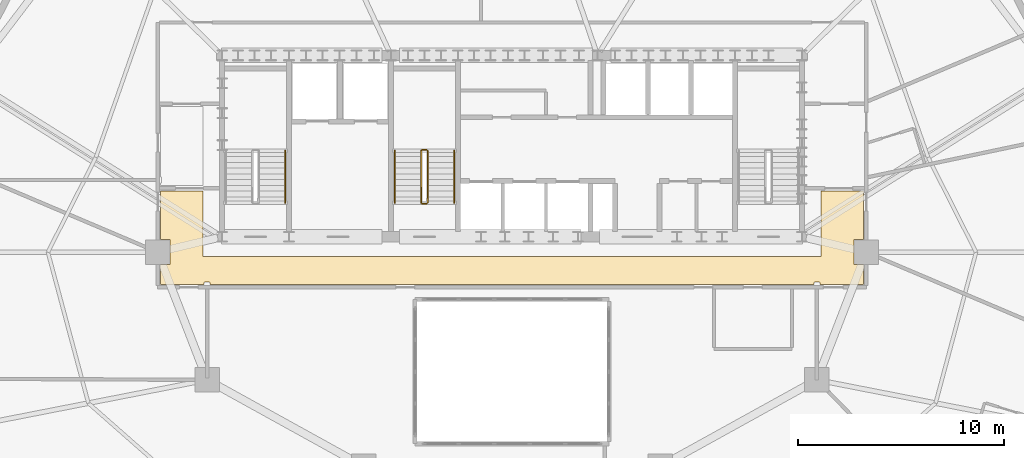
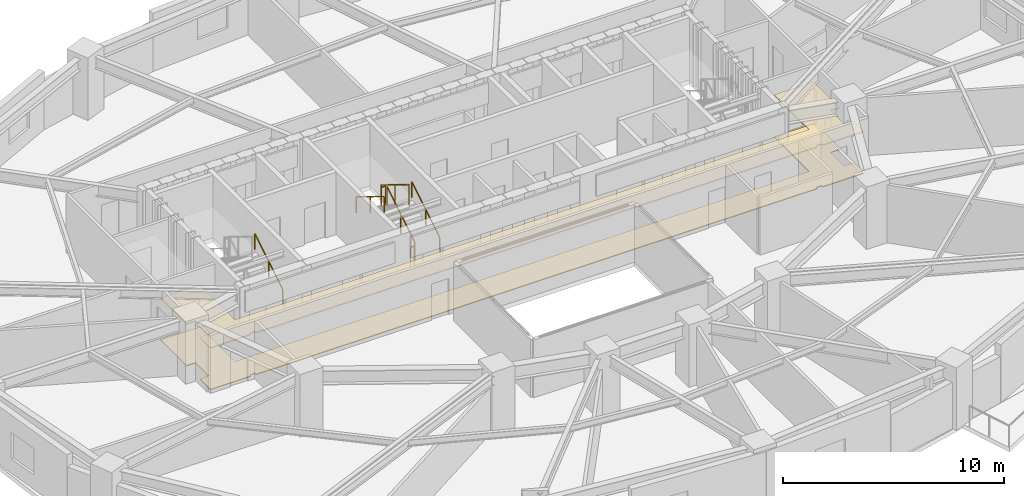
# One storey, part 11 of 12: 7 railings, 2 coverings.
"""IFC4 building model written with IfcOpenShell, lengths in metres."""

from ifc_helpers import new_model, si_unit, direction, frame, origin, origin_2d, place, context, subcontext, project, spatial, polyline, rectangle, outline, extrude, material, layer, layer_set, type_object, element, save


model = new_model("IFC4")

# Units and contexts
model_context = context("Model", 3, precision=1e-05, world=origin(), true_north=direction((0.0, 1.0)))
body_context = subcontext(model_context, "Body", "Model", "MODEL_VIEW")
ifc_project = project(units=[si_unit("LENGTHUNIT", "METRE"), si_unit("AREAUNIT", "SQUARE_METRE"), si_unit("VOLUMEUNIT", "CUBIC_METRE"), si_unit("PLANEANGLEUNIT", "RADIAN"), si_unit("MASSUNIT", "GRAM", prefix="KILO")], contexts=[model_context])

# Site, building, storey
site_placement = place(None, origin())
site = spatial("IfcSite", under=ifc_project, at=site_placement, CompositionType="ELEMENT")
building_placement = place(site_placement, origin())
building = spatial("IfcBuilding", under=site, at=building_placement, Name="Haldorwick Loom Tower", CompositionType="ELEMENT")
storey_placement = place(building_placement, frame((0.0, 0.0, 113.89990234375)))
storey = spatial("IfcBuildingStorey", under=building, at=storey_placement, Name="L30", CompositionType="ELEMENT", Elevation=113.89990234375)

# Coverings
ifc_material_1 = material(Name="Mineral Fibre Acoustic Ceiling Tile")
ifc_layer_1 = layer(ifc_material_1, 0.054931640625, Name="Mineral Fibre Acoustic Ceiling Tile")
ifc_layer_set_1 = layer_set([ifc_layer_1], Name="Mineral Fibre Acoustic Ceiling Tile")
covering_type_1 = type_object("IfcCoveringType", Name="ARC-COV-CEIL2", PredefinedType="CEILING", material=ifc_layer_set_1)
covering_1_placement = place(storey_placement, frame((0.0, 0.0, 2.302001953125)))
element("IfcCovering", 1, at=covering_1_placement, inside=storey, type_object=covering_type_1, Name="L30 Acoustic Suspended Ceiling 1", PredefinedType="CEILING", context=body_context, shape_type="SweptSolid", body=[
    extrude(outline(polyline([(21.320068359375, 24.5400390625), (21.322021484375, 24.539794921875), (21.323974609375, 24.53955078125), (21.32568359375, 24.5390625), (21.32763671875, 24.53857421875), (21.329345703125, 24.53759765625), (21.3310546875, 24.53662109375), (21.332763671875, 24.535400390625), (21.333984375, 24.5341796875), (21.33544921875, 24.53271484375), (21.336669921875, 24.531005859375), (21.337646484375, 24.529296875), (21.33837890625, 24.527587890625), (21.339111328125, 24.52587890625), (21.339599609375, 24.52392578125), (21.33984375, 24.52197265625), (21.340087890625, 24.52001953125), (21.340087890625, 24.43994140625), (50.659912109375, 24.43994140625), (50.659912109375, 24.52001953125), (50.66015625, 24.52197265625), (50.660400390625, 24.52392578125), (50.660888671875, 24.52587890625), (50.66162109375, 24.527587890625), (50.662353515625, 24.529296875), (50.663330078125, 24.531005859375), (50.66455078125, 24.53271484375), (50.666015625, 24.5341796875), (50.667236328125, 24.535400390625), (50.6689453125, 24.53662109375), (50.670654296875, 24.53759765625), (50.67236328125, 24.53857421875), (50.67431640625, 24.5390625), (50.676025390625, 24.53955078125), (50.677978515625, 24.539794921875), (50.679931640625, 24.5400390625), (50.919921875, 24.5400390625), (50.922119140625, 24.539794921875), (50.923828125, 24.53955078125), (50.92578125, 24.5390625), (50.927734375, 24.53857421875), (50.929443359375, 24.53759765625), (50.93115234375, 24.53662109375), (50.9326171875, 24.535400390625), (50.93408203125, 24.5341796875), (50.935546875, 24.53271484375), (50.9365234375, 24.531005859375), (50.9375, 24.529296875), (50.9384765625, 24.527587890625), (50.939208984375, 24.52587890625), (50.939697265625, 24.52392578125), (50.93994140625, 24.52197265625), (50.93994140625, 24.52001953125), (50.93994140625, 24.43994140625), (53.06005859375, 24.43994140625), (53.06005859375, 25.39208984375), (52.592041015625, 25.39208984375), (52.592041015625, 26.60791015625), (53.06005859375, 26.60791015625), (53.06005859375, 28.9599609375), (51.0, 28.9599609375), (51.0, 25.800048828125), (21.0, 25.800048828125), (21.0, 28.9599609375), (18.93994140625, 28.9599609375), (18.93994140625, 26.60791015625), (19.407958984375, 26.60791015625), (19.407958984375, 25.39208984375), (18.93994140625, 25.39208984375), (18.93994140625, 24.43994140625), (21.06005859375, 24.43994140625), (21.06005859375, 24.52001953125), (21.06005859375, 24.52197265625), (21.060302734375, 24.52392578125), (21.060791015625, 24.52587890625), (21.0615234375, 24.527587890625), (21.0625, 24.529296875), (21.0634765625, 24.531005859375), (21.064453125, 24.53271484375), (21.06591796875, 24.5341796875), (21.0673828125, 24.535400390625), (21.06884765625, 24.53662109375), (21.070556640625, 24.53759765625), (21.072265625, 24.53857421875), (21.07421875, 24.5390625), (21.076171875, 24.53955078125), (21.077880859375, 24.539794921875), (21.080078125, 24.5400390625), (21.320068359375, 24.5400390625)])), origin(), (0.0, 0.0, 1.0), 0.05517578125),
])
ifc_material_2 = material(Name="Polished Aggregate Terrazzo Finish")
ifc_layer_2 = layer(ifc_material_2, 0.044921875, Name="Polished Aggregate Terrazzo Finish")
ifc_layer_set_2 = layer_set([ifc_layer_2], Name="Polished Aggregate Terrazzo Finish")
covering_type_2 = type_object("IfcCoveringType", Name="ARC-COV-FLOOR2", PredefinedType="FLOORING", material=ifc_layer_set_2)
covering_2_placement = place(storey_placement, origin())
element("IfcCovering", 2, at=covering_2_placement, inside=storey, type_object=covering_type_2, Name="L30 Floor Finish 1", PredefinedType="FLOORING", context=body_context, shape_type="SweptSolid", body=[
    extrude(outline(polyline([(21.320068359375, 24.5400390625), (21.322021484375, 24.539794921875), (21.323974609375, 24.53955078125), (21.32568359375, 24.5390625), (21.32763671875, 24.53857421875), (21.329345703125, 24.53759765625), (21.3310546875, 24.53662109375), (21.332763671875, 24.535400390625), (21.333984375, 24.5341796875), (21.33544921875, 24.53271484375), (21.336669921875, 24.531005859375), (21.337646484375, 24.529296875), (21.33837890625, 24.527587890625), (21.339111328125, 24.52587890625), (21.339599609375, 24.52392578125), (21.33984375, 24.52197265625), (21.340087890625, 24.52001953125), (21.340087890625, 24.43994140625), (50.659912109375, 24.43994140625), (50.659912109375, 24.52001953125), (50.66015625, 24.52197265625), (50.660400390625, 24.52392578125), (50.660888671875, 24.52587890625), (50.66162109375, 24.527587890625), (50.662353515625, 24.529296875), (50.663330078125, 24.531005859375), (50.66455078125, 24.53271484375), (50.666015625, 24.5341796875), (50.667236328125, 24.535400390625), (50.6689453125, 24.53662109375), (50.670654296875, 24.53759765625), (50.67236328125, 24.53857421875), (50.67431640625, 24.5390625), (50.676025390625, 24.53955078125), (50.677978515625, 24.539794921875), (50.679931640625, 24.5400390625), (50.919921875, 24.5400390625), (50.922119140625, 24.539794921875), (50.923828125, 24.53955078125), (50.92578125, 24.5390625), (50.927734375, 24.53857421875), (50.929443359375, 24.53759765625), (50.93115234375, 24.53662109375), (50.9326171875, 24.535400390625), (50.93408203125, 24.5341796875), (50.935546875, 24.53271484375), (50.9365234375, 24.531005859375), (50.9375, 24.529296875), (50.9384765625, 24.527587890625), (50.939208984375, 24.52587890625), (50.939697265625, 24.52392578125), (50.93994140625, 24.52197265625), (50.93994140625, 24.52001953125), (50.93994140625, 24.43994140625), (53.06005859375, 24.43994140625), (53.06005859375, 25.39208984375), (52.592041015625, 25.39208984375), (52.592041015625, 26.60791015625), (53.06005859375, 26.60791015625), (53.06005859375, 28.9599609375), (51.0, 28.9599609375), (51.0, 25.800048828125), (21.0, 25.800048828125), (21.0, 28.9599609375), (18.93994140625, 28.9599609375), (18.93994140625, 26.60791015625), (19.407958984375, 26.60791015625), (19.407958984375, 25.39208984375), (18.93994140625, 25.39208984375), (18.93994140625, 24.43994140625), (21.06005859375, 24.43994140625), (21.06005859375, 24.52001953125), (21.06005859375, 24.52197265625), (21.060302734375, 24.52392578125), (21.060791015625, 24.52587890625), (21.0615234375, 24.527587890625), (21.0625, 24.529296875), (21.0634765625, 24.531005859375), (21.064453125, 24.53271484375), (21.06591796875, 24.5341796875), (21.0673828125, 24.535400390625), (21.06884765625, 24.53662109375), (21.070556640625, 24.53759765625), (21.072265625, 24.53857421875), (21.07421875, 24.5390625), (21.076171875, 24.53955078125), (21.077880859375, 24.539794921875), (21.080078125, 24.5400390625), (21.320068359375, 24.5400390625)])), origin(), (0.0, 0.0, 1.0), 0.045166015625),
])

# Railings
ifc_material_3 = material(Name="Steel CSA G40.21 350W", Category="steel")
railing_type_1 = type_object("IfcRailingType", Name="ARC-RLG-GUARD112", PredefinedType="GUARDRAIL", material=ifc_material_3)
railing_1_placement = place(storey_placement, frame((31.89990234375, 28.39990234375, 0.172607421875)))
element("IfcRailing", 3, at=railing_1_placement, inside=storey, type_object=railing_type_1, Name="L30 ST-03 stair guard 1", PredefinedType="GUARDRAIL", context=body_context, shape_type="SweptSolid", body=[
    extrude(rectangle(XDim=0.048095703125, YDim=0.048095703125, at=origin_2d()), frame((0.0, 0.0, 1.076171875), z_axis=(0.0, 0.851400495292, 0.524516154772), x_axis=(-1.0, 0.0, 0.0)), (0.0, 0.0, 1.0), 2.9599609375),
    extrude(rectangle(XDim=0.0419921875, YDim=0.0419921875, at=origin_2d()), origin(), (0.0, 0.0, 1.0), 1.052001953125),
    extrude(rectangle(XDim=0.0419921875, YDim=0.0419921875, at=origin_2d()), frame((0.0, 1.260009765625, 0.7763671875)), (0.0, 0.0, 1.0), 1.052001953125),
    extrude(rectangle(XDim=0.0419921875, YDim=0.0419921875, at=origin_2d()), frame((0.0, 2.52001953125, 1.552490234375)), (0.0, 0.0, 1.0), 1.052001953125),
])
railing_2_placement = place(storey_placement, frame((31.85009765625, 30.969970703125, 1.72509765625)))
element("IfcRailing", 4, at=railing_2_placement, inside=storey, type_object=railing_type_1, Name="L30 ST-03 stair guard 2", PredefinedType="GUARDRAIL", context=body_context, shape_type="SweptSolid", body=[
    extrude(rectangle(XDim=0.048095703125, YDim=0.048095703125, at=origin_2d()), frame((0.0, 0.0, 1.076171875), z_axis=(-1.0, 0.0, 0.0), x_axis=(0.0, -1.0, 0.0)), (0.0, 0.0, 1.0), 0.2001953125),
    extrude(rectangle(XDim=0.0419921875, YDim=0.0419921875, at=origin_2d()), origin(), (0.0, 0.0, 1.0), 1.052001953125),
    extrude(rectangle(XDim=0.0419921875, YDim=0.0419921875, at=origin_2d()), frame((-0.2001953125, 0.0, 0.0)), (0.0, 0.0, 1.0), 1.052001953125),
])
railing_3_placement = place(storey_placement, frame((31.60009765625, 30.919921875, 1.897705078125)))
element("IfcRailing", 5, at=railing_3_placement, inside=storey, type_object=railing_type_1, Name="L30 ST-03 stair guard 3", PredefinedType="GUARDRAIL", context=body_context, shape_type="SweptSolid", body=[
    extrude(rectangle(XDim=0.048095703125, YDim=0.048095703125, at=origin_2d()), frame((0.0, 0.0, 1.076171875), z_axis=(0.0, -0.851400495292, 0.524516154772), x_axis=(1.0, 0.0, 0.0)), (0.0, 0.0, 1.0), 2.9599609375),
    extrude(rectangle(XDim=0.0419921875, YDim=0.0419921875, at=origin_2d()), origin(), (0.0, 0.0, 1.0), 1.052001953125),
    extrude(rectangle(XDim=0.0419921875, YDim=0.0419921875, at=origin_2d()), frame((0.0, -1.260009765625, 0.7763671875)), (0.0, 0.0, 1.0), 1.052001953125),
    extrude(rectangle(XDim=0.0419921875, YDim=0.0419921875, at=origin_2d()), frame((0.0, -2.52001953125, 1.552490234375)), (0.0, 0.0, 1.0), 1.052001953125),
])
railing_4_placement = place(storey_placement, frame((31.85009765625, 28.35009765625, 0.0)))
element("IfcRailing", 6, at=railing_4_placement, inside=storey, type_object=railing_type_1, Name="L30 ST-03 stair guard 4", PredefinedType="GUARDRAIL", context=body_context, shape_type="SweptSolid", body=[
    extrude(rectangle(XDim=0.048095703125, YDim=0.048095703125, at=origin_2d()), frame((0.0, 0.0, 1.076171875), z_axis=(-1.0, 0.0, 0.0), x_axis=(0.0, -1.0, 0.0)), (0.0, 0.0, 1.0), 0.2001953125),
    extrude(rectangle(XDim=0.0419921875, YDim=0.0419921875, at=origin_2d()), origin(), (0.0, 0.0, 1.0), 1.052001953125),
    extrude(rectangle(XDim=0.0419921875, YDim=0.0419921875, at=origin_2d()), frame((-0.2001953125, 0.0, 0.0)), (0.0, 0.0, 1.0), 1.052001953125),
])
railing_type_2 = type_object("IfcRailingType", Name="ARC-RLG-HAND092", PredefinedType="HANDRAIL", material=ifc_material_3)
for number, where, name in (
    (7, (25.0, 28.39990234375, 0.172607421875), "L30 ST-01 stair handrail 1"),
    (8, (33.199951171875, 28.39990234375, 0.172607421875), "L30 ST-03 stair handrail 1"),
):
    element("IfcRailing", number, at=place(storey_placement, frame(where)), inside=storey, type_object=railing_type_2, Name=name, PredefinedType="HANDRAIL", context=body_context, shape_type="SweptSolid", body=[
        extrude(rectangle(XDim=0.048095703125, YDim=0.048095703125, at=origin_2d()), frame((0.0, 0.0, 0.8759765625), z_axis=(0.0, 0.851400495292, 0.524516154772), x_axis=(-1.0, 0.0, 0.0)), (0.0, 0.0, 1.0), 2.9599609375),
        extrude(rectangle(XDim=0.0419921875, YDim=0.0419921875, at=origin_2d()), origin(), (0.0, 0.0, 1.0), 0.851806640625),
        extrude(rectangle(XDim=0.0419921875, YDim=0.0419921875, at=origin_2d()), frame((0.0, 1.260009765625, 0.7763671875)), (0.0, 0.0, 1.0), 0.851806640625),
        extrude(rectangle(XDim=0.0419921875, YDim=0.0419921875, at=origin_2d()), frame((0.0, 2.52001953125, 1.552490234375)), (0.0, 0.0, 1.0), 0.851806640625),
    ])
railing_5_placement = place(storey_placement, frame((30.300048828125, 30.919921875, 1.897705078125)))
element("IfcRailing", 9, at=railing_5_placement, inside=storey, type_object=railing_type_2, Name="L30 ST-03 stair handrail 2", PredefinedType="HANDRAIL", context=body_context, shape_type="SweptSolid", body=[
    extrude(rectangle(XDim=0.048095703125, YDim=0.048095703125, at=origin_2d()), frame((0.0, 0.0, 0.8759765625), z_axis=(0.0, -0.851400495292, 0.524516154772), x_axis=(1.0, 0.0, 0.0)), (0.0, 0.0, 1.0), 2.9599609375),
    extrude(rectangle(XDim=0.0419921875, YDim=0.0419921875, at=origin_2d()), origin(), (0.0, 0.0, 1.0), 0.851806640625),
    extrude(rectangle(XDim=0.0419921875, YDim=0.0419921875, at=origin_2d()), frame((0.0, -1.260009765625, 0.7763671875)), (0.0, 0.0, 1.0), 0.851806640625),
    extrude(rectangle(XDim=0.0419921875, YDim=0.0419921875, at=origin_2d()), frame((0.0, -2.52001953125, 1.552490234375)), (0.0, 0.0, 1.0), 0.851806640625),
])

save(model, "model.ifc")
